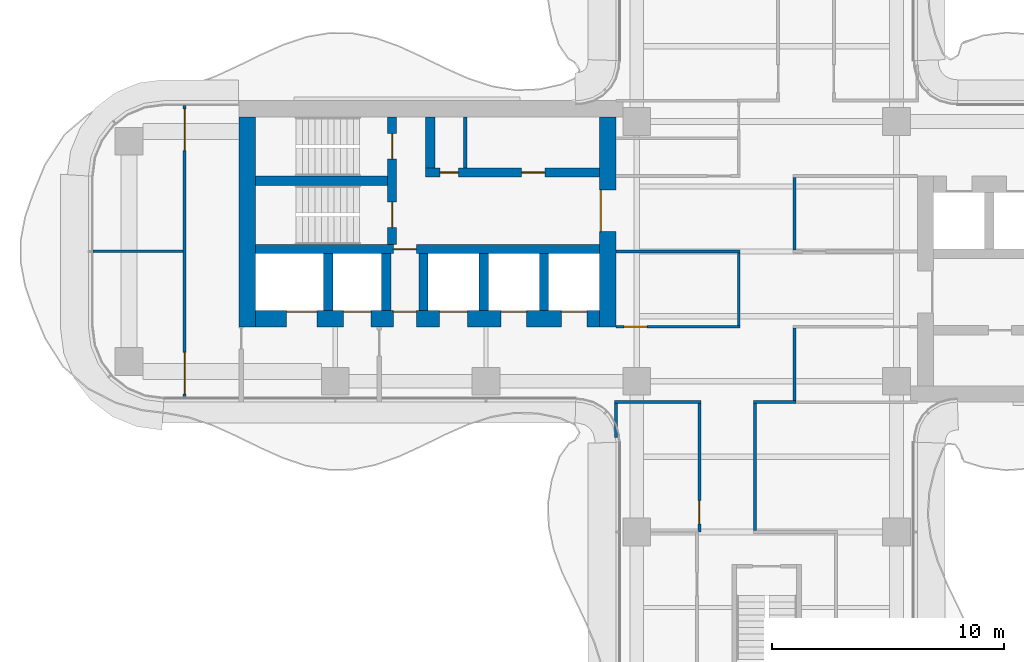
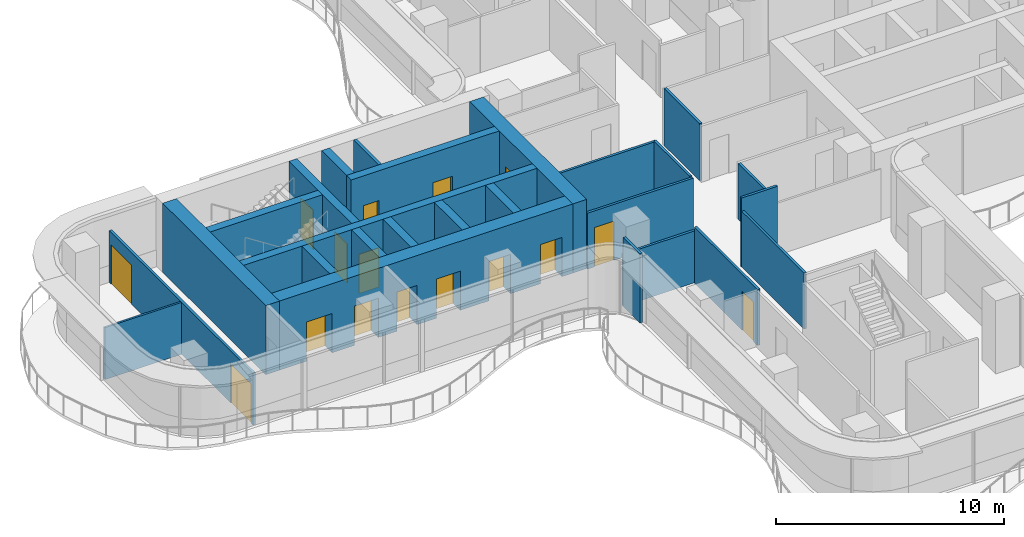
# One storey, part 13 of 18: 26 walls, 16 doors, 16 openings.
"""IFC4 building model written with IfcOpenShell, lengths in metres."""

from ifc_helpers import new_model, si_unit, direction, frame, frame_2d, origin, place, context, subcontext, project, spatial, rectangle, extrude, source, transform, mapped, material, layer, layer_set, type_object, element, fill, save


model = new_model("IFC4")

# Units and contexts
model_context = context("Model", 3, precision=1e-05, world=origin(), true_north=direction((0.0, 1.0)))
body_context = subcontext(model_context, "Body", "Model", "MODEL_VIEW")
ifc_project = project(units=[si_unit("LENGTHUNIT", "METRE"), si_unit("AREAUNIT", "SQUARE_METRE"), si_unit("VOLUMEUNIT", "CUBIC_METRE"), si_unit("PLANEANGLEUNIT", "RADIAN"), si_unit("MASSUNIT", "GRAM", prefix="KILO")], contexts=[model_context])

# Site, building, storey
site_placement = place(None, origin())
site = spatial("IfcSite", under=ifc_project, at=site_placement, CompositionType="ELEMENT")
building_placement = place(site_placement, origin())
building = spatial("IfcBuilding", under=site, at=building_placement, Name="Trellis Farm Tower", CompositionType="ELEMENT")
storey_placement = place(building_placement, frame((0.0, 0.0, 169.800048828125)))
storey = spatial("IfcBuildingStorey", under=building, at=storey_placement, Name="L36", CompositionType="ELEMENT", Elevation=169.800048828125)

# Wall, opening, door
ifc_material_1 = material(Name="Concrete C70/85", Category="concrete")
ifc_layer_1 = layer(ifc_material_1, 0.699951171875)
ifc_layer_set_1 = layer_set([ifc_layer_1], Name="CORE OUTER WALL 700 CONCRETE C70/85")
wall_type_1 = type_object("IfcWallType", Name="CORE OUTER WALL 700 CONCRETE C70/85", PredefinedType="SHEAR", material=ifc_layer_set_1)
shared_shape_1 = source(origin(), body_context, "Body", "SweptSolid", [
    extrude(rectangle(XDim=9.050048828125, YDim=0.699951171875, at=frame_2d((4.52490234375, 0.0))), origin(), (0.0, 0.0, 1.0), 3.699951171875),
])
wall_1_placement = place(storey_placement, frame((-6.85009765625, 5.800048828125, 0.0), z_axis=(0.0, 0.0, 1.0), x_axis=(0.0, -1.0, 0.0)))
wall_1 = element("IfcWall", 1, at=wall_1_placement, inside=storey, type_object=wall_type_1, Name="Core wall", PredefinedType="SHEAR", context=body_context, shape_type="MappedRepresentation", body=[
    mapped(shared_shape_1, transform((0.0, 0.0, 0.0))),
])
shared_shape_2 = source(origin(), body_context, "Body", "SweptSolid", [
    extrude(rectangle(XDim=1.800048828125, YDim=2.10009765625, at=frame_2d((0.89990234375, 1.050048828125))), frame((0.0, 0.360107421875, 0.0), z_axis=(0.0, -1.0, 0.0), x_axis=(1.0, 0.0, 0.0)), (0.0, 0.0, 1.0), 0.72021484375),
])
opening_1_placement = place(wall_1_placement, frame((3.14990234375, 0.0, 0.0)))
opening_1 = element("IfcOpeningElement", 2, at=opening_1_placement, cuts=wall_1, Name="Opening DC87", PredefinedType="OPENING", context=body_context, shape_type="MappedRepresentation", body=[
    mapped(shared_shape_2, transform((0.0, 0.0, 0.0))),
])
ifc_material_2 = material(Name="Steel", Category="steel")
door_type_1 = type_object("IfcDoorType", Name="CORE FIRE DOOR DOUBLE 1800 X 2100", OperationType="DOUBLE_DOOR_SINGLE_SWING", PredefinedType="DOOR", material=ifc_material_2)
shared_shape_3 = source(origin(), body_context, "Body", "SweptSolid", [
    extrude(rectangle(XDim=1.800048828125, YDim=2.10009765625, at=frame_2d((0.89990234375, 1.050048828125))), frame((0.0, -0.27490234375, 0.0), z_axis=(0.0, -1.0, 0.0), x_axis=(1.0, 0.0, 0.0)), (0.0, 0.0, 1.0), 0.050048828125),
])
door_1_placement = place(opening_1_placement, origin())
door_1 = element("IfcDoor", 3, at=door_1_placement, inside=storey, type_object=door_type_1, Name="Core door", OperationType="DOUBLE_DOOR_SINGLE_SWING", OverallHeight=2.10009765625, OverallWidth=1.800048828125, PredefinedType="DOOR", context=body_context, shape_type="MappedRepresentation", body=[
    mapped(shared_shape_3, transform((0.0, 0.0, 0.0))),
])
fill(opening_1, door_1)

# Walls
wall_2_placement = place(storey_placement, frame((-22.39990234375, 5.800048828125, 0.0), z_axis=(0.0, 0.0, 1.0), x_axis=(0.0, -1.0, 0.0)))
element("IfcWall", 4, at=wall_2_placement, inside=storey, type_object=wall_type_1, Name="Core wall", PredefinedType="SHEAR", context=body_context, shape_type="MappedRepresentation", body=[
    mapped(shared_shape_1, transform((0.0, 0.0, 0.0))),
])
ifc_layer_2 = layer(ifc_material_1, 0.39990234375)
ifc_layer_set_2 = layer_set([ifc_layer_2], Name="CORE INNER WALL 400 CONCRETE C70/85")
wall_type_2 = type_object("IfcWallType", Name="CORE INNER WALL 400 CONCRETE C70/85", PredefinedType="SHEAR", material=ifc_layer_set_2)
shared_shape_4 = source(origin(), body_context, "Body", "SweptSolid", [
    extrude(rectangle(XDim=2.449951171875, YDim=0.39990234375, at=frame_2d((1.22509765625, 0.0))), origin(), (0.0, 0.0, 1.0), 3.699951171875),
])
for number, where, z_axis, x_axis, name in (
    (5, (-9.60009765625, -0.10009765625, 0.0), (0.0, 0.0, 1.0), (0.0, -1.0, 0.0), "Core wall"),
    (6, (-12.199951171875, -0.10009765625, 0.0), (0.0, 0.0, 1.0), (0.0, -1.0, 0.0), "Core wall"),
    (7, (-14.800048828125, -0.10009765625, 0.0), (0.0, 0.0, 1.0), (0.0, -1.0, 0.0), "Core wall"),
    (8, (-16.39990234375, -0.10009765625, 0.0), (0.0, 0.0, 1.0), (0.0, -1.0, 0.0), "Core wall"),
    (9, (-18.89990234375, -0.10009765625, 0.0), (0.0, 0.0, 1.0), (0.0, -1.0, 0.0), "Core wall"),
):
    element("IfcWall", number, at=place(storey_placement, frame(where, z_axis=z_axis, x_axis=x_axis)), inside=storey, type_object=wall_type_2, Name=name, PredefinedType="SHEAR", context=body_context, shape_type="MappedRepresentation", body=[
        mapped(shared_shape_4, transform((0.0, 0.0, 0.0))),
    ])

# Wall, openings, doors
shared_shape_5 = source(origin(), body_context, "Body", "SweptSolid", [
    extrude(rectangle(XDim=14.85009765625, YDim=0.699951171875, at=frame_2d((7.425048828125, 0.0))), origin(), (0.0, 0.0, 1.0), 3.699951171875),
])
wall_3_placement = place(storey_placement, frame((-7.199951171875, -2.89990234375, 0.0), z_axis=(0.0, 0.0, 1.0), x_axis=(-1.0, 0.0, 0.0)))
wall_3 = element("IfcWall", 10, at=wall_3_placement, inside=storey, type_object=wall_type_1, Name="Core wall", PredefinedType="SHEAR", context=body_context, shape_type="MappedRepresentation", body=[
    mapped(shared_shape_5, transform((0.0, 0.0, 0.0))),
])
shared_shape_6 = source(origin(), body_context, "Body", "SweptSolid", [
    extrude(rectangle(XDim=1.10009765625, YDim=2.10009765625, at=frame_2d((0.550048828125, 1.050048828125))), frame((0.0, 0.360107421875, 0.0), z_axis=(0.0, -1.0, 0.0), x_axis=(1.0, 0.0, 0.0)), (0.0, 0.0, 1.0), 0.72021484375),
])
opening_2_placement = place(wall_3_placement, frame((0.550048828125, 0.0, 0.0)))
opening_2 = element("IfcOpeningElement", 11, at=opening_2_placement, cuts=wall_3, Name="Opening LD12", PredefinedType="OPENING", context=body_context, shape_type="MappedRepresentation", body=[
    mapped(shared_shape_6, transform((0.0, 0.0, 0.0))),
])
opening_3_placement = place(wall_3_placement, frame((3.14990234375, 0.0, 0.0)))
opening_3 = element("IfcOpeningElement", 12, at=opening_3_placement, cuts=wall_3, Name="Opening LD13", PredefinedType="OPENING", context=body_context, shape_type="MappedRepresentation", body=[
    mapped(shared_shape_6, transform((0.0, 0.0, 0.0))),
])
shared_shape_7 = source(origin(), body_context, "Body", "SweptSolid", [
    extrude(rectangle(XDim=1.199951171875, YDim=2.10009765625, at=frame_2d((0.60009765625, 1.050048828125))), frame((0.0, 0.360107421875, 0.0), z_axis=(0.0, -1.0, 0.0), x_axis=(1.0, 0.0, 0.0)), (0.0, 0.0, 1.0), 0.72021484375),
])
opening_4_placement = place(wall_3_placement, frame((5.699951171875, 0.0, 0.0)))
opening_4 = element("IfcOpeningElement", 13, at=opening_4_placement, cuts=wall_3, Name="Opening LD14", PredefinedType="OPENING", context=body_context, shape_type="MappedRepresentation", body=[
    mapped(shared_shape_7, transform((0.0, 0.0, 0.0))),
])
shared_shape_8 = source(origin(), body_context, "Body", "SweptSolid", [
    extrude(rectangle(XDim=1.300048828125, YDim=2.10009765625, at=frame_2d((0.64990234375, 1.050048828125))), frame((0.0, 0.360107421875, 0.0), z_axis=(0.0, -1.0, 0.0), x_axis=(1.0, 0.0, 0.0)), (0.0, 0.0, 1.0), 0.72021484375),
])
opening_5_placement = place(wall_3_placement, frame((12.199951171875, 0.0, 0.0)))
opening_5 = element("IfcOpeningElement", 14, at=opening_5_placement, cuts=wall_3, Name="Opening LD15", PredefinedType="OPENING", context=body_context, shape_type="MappedRepresentation", body=[
    mapped(shared_shape_8, transform((0.0, 0.0, 0.0))),
])
opening_6_placement = place(wall_3_placement, frame((9.85009765625, 0.0, 0.0)))
opening_6 = element("IfcOpeningElement", 15, at=opening_6_placement, cuts=wall_3, Name="Opening LD16", PredefinedType="OPENING", context=body_context, shape_type="MappedRepresentation", body=[
    mapped(shared_shape_7, transform((0.0, 0.0, 0.0))),
])
shared_shape_9 = source(origin(), body_context, "Body", "SweptSolid", [
    extrude(rectangle(XDim=1.0, YDim=2.10009765625, at=frame_2d((0.5, 1.050048828125))), frame((0.0, 0.360107421875, 0.0), z_axis=(0.0, -1.0, 0.0), x_axis=(1.0, 0.0, 0.0)), (0.0, 0.0, 1.0), 0.72021484375),
])
opening_7_placement = place(wall_3_placement, frame((7.89990234375, 0.0, 0.0)))
opening_7 = element("IfcOpeningElement", 16, at=opening_7_placement, cuts=wall_3, Name="Opening DC92", PredefinedType="OPENING", context=body_context, shape_type="MappedRepresentation", body=[
    mapped(shared_shape_9, transform((0.0, 0.0, 0.0))),
])
door_type_2 = type_object("IfcDoorType", Name="CORE FIRE DOOR 1000 X 2100", OperationType="NOTDEFINED", PredefinedType="DOOR", material=ifc_material_2)
shared_shape_10 = source(origin(), body_context, "Body", "SweptSolid", [
    extrude(rectangle(XDim=1.0, YDim=2.10009765625, at=frame_2d((0.5, 1.050048828125))), frame((0.0, -0.27490234375, 0.0), z_axis=(0.0, -1.0, 0.0), x_axis=(1.0, 0.0, 0.0)), (0.0, 0.0, 1.0), 0.050048828125),
])
door_2_placement = place(opening_7_placement, origin())
door_2 = element("IfcDoor", 17, at=door_2_placement, inside=storey, type_object=door_type_2, Name="Core door", OperationType="SINGLE_SWING_LEFT", OverallHeight=2.10009765625, OverallWidth=1.0, PredefinedType="DOOR", context=body_context, shape_type="MappedRepresentation", body=[
    mapped(shared_shape_10, transform((0.0, 0.0, 0.0))),
])
fill(opening_7, door_2)
ifc_material_3 = material(Name="Stainless steel", Category="steel")
door_type_3 = type_object("IfcDoorType", Name="LIFT LANDING DOOR 1300 X 2100", OperationType="DOUBLE_DOOR_SLIDING", PredefinedType="DOOR", material=ifc_material_3)
shared_shape_11 = source(origin(), body_context, "Body", "SweptSolid", [
    extrude(rectangle(XDim=1.300048828125, YDim=2.10009765625, at=frame_2d((0.64990234375, 1.050048828125))), frame((0.0, -0.27490234375, 0.0), z_axis=(0.0, -1.0, 0.0), x_axis=(1.0, 0.0, 0.0)), (0.0, 0.0, 1.0), 0.050048828125),
])
door_3_placement = place(opening_5_placement, origin())
door_3 = element("IfcDoor", 18, at=door_3_placement, inside=storey, type_object=door_type_3, Name="Lift landing door", OperationType="DOUBLE_DOOR_SLIDING", OverallHeight=2.10009765625, OverallWidth=1.300048828125, PredefinedType="DOOR", context=body_context, shape_type="MappedRepresentation", body=[
    mapped(shared_shape_11, transform((0.0, 0.0, 0.0))),
])
fill(opening_5, door_3)
door_type_4 = type_object("IfcDoorType", Name="LIFT LANDING DOOR 1200 X 2100", OperationType="DOUBLE_DOOR_SLIDING", PredefinedType="DOOR", material=ifc_material_3)
shared_shape_12 = source(origin(), body_context, "Body", "SweptSolid", [
    extrude(rectangle(XDim=1.199951171875, YDim=2.10009765625, at=frame_2d((0.60009765625, 1.050048828125))), frame((0.0, -0.27490234375, 0.0), z_axis=(0.0, -1.0, 0.0), x_axis=(1.0, 0.0, 0.0)), (0.0, 0.0, 1.0), 0.050048828125),
])
door_4_placement = place(opening_4_placement, origin())
door_4 = element("IfcDoor", 19, at=door_4_placement, inside=storey, type_object=door_type_4, Name="Lift landing door", OperationType="DOUBLE_DOOR_SLIDING", OverallHeight=2.10009765625, OverallWidth=1.199951171875, PredefinedType="DOOR", context=body_context, shape_type="MappedRepresentation", body=[
    mapped(shared_shape_12, transform((0.0, 0.0, 0.0))),
])
fill(opening_4, door_4)
door_5_placement = place(opening_6_placement, origin())
door_5 = element("IfcDoor", 20, at=door_5_placement, inside=storey, type_object=door_type_4, Name="Lift landing door", OperationType="DOUBLE_DOOR_SLIDING", OverallHeight=2.10009765625, OverallWidth=1.199951171875, PredefinedType="DOOR", context=body_context, shape_type="MappedRepresentation", body=[
    mapped(shared_shape_12, transform((0.0, 0.0, 0.0))),
])
fill(opening_6, door_5)
door_type_5 = type_object("IfcDoorType", Name="LIFT LANDING DOOR 1100 X 2100", OperationType="DOUBLE_DOOR_SLIDING", PredefinedType="DOOR", material=ifc_material_3)
shared_shape_13 = source(origin(), body_context, "Body", "SweptSolid", [
    extrude(rectangle(XDim=1.10009765625, YDim=2.10009765625, at=frame_2d((0.550048828125, 1.050048828125))), frame((0.0, -0.27490234375, 0.0), z_axis=(0.0, -1.0, 0.0), x_axis=(1.0, 0.0, 0.0)), (0.0, 0.0, 1.0), 0.050048828125),
])
door_6_placement = place(opening_2_placement, origin())
door_6 = element("IfcDoor", 21, at=door_6_placement, inside=storey, type_object=door_type_5, Name="Lift landing door", OperationType="DOUBLE_DOOR_SLIDING", OverallHeight=2.10009765625, OverallWidth=1.10009765625, PredefinedType="DOOR", context=body_context, shape_type="MappedRepresentation", body=[
    mapped(shared_shape_13, transform((0.0, 0.0, 0.0))),
])
fill(opening_2, door_6)
door_7_placement = place(opening_3_placement, origin())
door_7 = element("IfcDoor", 22, at=door_7_placement, inside=storey, type_object=door_type_5, Name="Lift landing door", OperationType="DOUBLE_DOOR_SLIDING", OverallHeight=2.10009765625, OverallWidth=1.10009765625, PredefinedType="DOOR", context=body_context, shape_type="MappedRepresentation", body=[
    mapped(shared_shape_13, transform((0.0, 0.0, 0.0))),
])
fill(opening_3, door_7)

shared_shape_14 = source(origin(), body_context, "Body", "SweptSolid", [
    extrude(rectangle(XDim=7.5, YDim=0.39990234375, at=frame_2d((3.75, 0.0))), origin(), (0.0, 0.0, 1.0), 3.699951171875),
])
wall_4_placement = place(storey_placement, frame((-7.199951171875, 3.39990234375, 0.0), z_axis=(0.0, 0.0, 1.0), x_axis=(-1.0, 0.0, 0.0)))
wall_4 = element("IfcWall", 23, at=wall_4_placement, inside=storey, type_object=wall_type_2, Name="Core wall", PredefinedType="SHEAR", context=body_context, shape_type="MappedRepresentation", body=[
    mapped(shared_shape_14, transform((0.0, 0.0, 0.0))),
])
shared_shape_15 = source(origin(), body_context, "Body", "SweptSolid", [
    extrude(rectangle(XDim=1.0, YDim=2.10009765625, at=frame_2d((0.5, 1.050048828125))), frame((0.0, 0.2099609375, 0.0), z_axis=(0.0, -1.0, 0.0), x_axis=(1.0, 0.0, 0.0)), (0.0, 0.0, 1.0), 0.419921875),
])
opening_8_placement = place(wall_4_placement, frame((2.362548828125, 0.0, 0.0)))
opening_8 = element("IfcOpeningElement", 24, at=opening_8_placement, cuts=wall_4, Name="Opening DC141", PredefinedType="OPENING", context=body_context, shape_type="MappedRepresentation", body=[
    mapped(shared_shape_15, transform((0.0, 0.0, 0.0))),
])
shared_shape_16 = source(origin(), body_context, "Body", "SweptSolid", [
    extrude(rectangle(XDim=0.800048828125, YDim=2.10009765625, at=frame_2d((0.39990234375, 1.050048828125))), frame((0.0, 0.2099609375, 0.0), z_axis=(0.0, -1.0, 0.0), x_axis=(1.0, 0.0, 0.0)), (0.0, 0.0, 1.0), 0.419921875),
])
opening_9_placement = place(wall_4_placement, frame((6.08740234375, 0.0, 0.0)))
opening_9 = element("IfcOpeningElement", 25, at=opening_9_placement, cuts=wall_4, Name="Opening DC144", PredefinedType="OPENING", context=body_context, shape_type="MappedRepresentation", body=[
    mapped(shared_shape_16, transform((0.0, 0.0, 0.0))),
])
shared_shape_17 = source(origin(), body_context, "Body", "SweptSolid", [
    extrude(rectangle(XDim=1.0, YDim=2.10009765625, at=frame_2d((0.5, 1.050048828125))), frame((0.0, 0.02490234375, 0.0), z_axis=(0.0, -1.0, 0.0), x_axis=(1.0, 0.0, 0.0)), (0.0, 0.0, 1.0), 0.050048828125),
])
door_8_placement = place(opening_8_placement, origin())
door_8 = element("IfcDoor", 26, at=door_8_placement, inside=storey, type_object=door_type_2, Name="Core door", OperationType="SINGLE_SWING_LEFT", OverallHeight=2.10009765625, OverallWidth=1.0, PredefinedType="DOOR", context=body_context, shape_type="MappedRepresentation", body=[
    mapped(shared_shape_17, transform((0.0, 0.0, 0.0))),
])
fill(opening_8, door_8)
door_type_6 = type_object("IfcDoorType", Name="CORE FIRE DOOR 800 X 2100", OperationType="NOTDEFINED", PredefinedType="DOOR", material=ifc_material_2)
shared_shape_18 = source(origin(), body_context, "Body", "SweptSolid", [
    extrude(rectangle(XDim=0.800048828125, YDim=2.10009765625, at=frame_2d((0.39990234375, 1.050048828125))), frame((0.0, 0.02490234375, 0.0), z_axis=(0.0, -1.0, 0.0), x_axis=(1.0, 0.0, 0.0)), (0.0, 0.0, 1.0), 0.050048828125),
])
door_9_placement = place(opening_9_placement, origin())
door_9 = element("IfcDoor", 27, at=door_9_placement, inside=storey, type_object=door_type_6, Name="Core door", OperationType="SINGLE_SWING_RIGHT", OverallHeight=2.10009765625, OverallWidth=0.800048828125, PredefinedType="DOOR", context=body_context, shape_type="MappedRepresentation", body=[
    mapped(shared_shape_18, transform((0.0, 0.0, 0.0))),
])
fill(opening_9, door_9)

# Wall, opening, door
shared_shape_19 = source(origin(), body_context, "Body", "SweptSolid", [
    extrude(rectangle(XDim=14.85009765625, YDim=0.39990234375, at=frame_2d((7.425048828125, 0.0))), origin(), (0.0, 0.0, 1.0), 3.699951171875),
])
wall_5_placement = place(storey_placement, frame((-7.199951171875, 0.10009765625, 0.0), z_axis=(0.0, 0.0, 1.0), x_axis=(-1.0, 0.0, 0.0)))
wall_5 = element("IfcWall", 28, at=wall_5_placement, inside=storey, type_object=wall_type_2, Name="Core wall", PredefinedType="SHEAR", context=body_context, shape_type="MappedRepresentation", body=[
    mapped(shared_shape_19, transform((0.0, 0.0, 0.0))),
])
opening_10_placement = place(wall_5_placement, frame((7.89990234375, 0.0, 0.0)))
opening_10 = element("IfcOpeningElement", 29, at=opening_10_placement, cuts=wall_5, Name="Opening DC91", PredefinedType="OPENING", context=body_context, shape_type="MappedRepresentation", body=[
    mapped(shared_shape_15, transform((0.0, 0.0, 0.0))),
])
door_10_placement = place(opening_10_placement, origin())
door_10 = element("IfcDoor", 30, at=door_10_placement, inside=storey, type_object=door_type_2, Name="Core door", OperationType="SINGLE_SWING_RIGHT", OverallHeight=2.10009765625, OverallWidth=1.0, PredefinedType="DOOR", context=body_context, shape_type="MappedRepresentation", body=[
    mapped(shared_shape_17, transform((0.0, 0.0, 0.0))),
])
fill(opening_10, door_10)

# Wall, openings, doors
shared_shape_20 = source(origin(), body_context, "Body", "SweptSolid", [
    extrude(rectangle(XDim=5.5, YDim=0.39990234375, at=frame_2d((2.75, 0.0))), origin(), (0.0, 0.0, 1.0), 3.699951171875),
])
wall_6_placement = place(storey_placement, frame((-16.14990234375, 5.800048828125, 0.0), z_axis=(0.0, 0.0, 1.0), x_axis=(0.0, -1.0, 0.0)))
wall_6 = element("IfcWall", 31, at=wall_6_placement, inside=storey, type_object=wall_type_2, Name="Core wall", PredefinedType="SHEAR", context=body_context, shape_type="MappedRepresentation", body=[
    mapped(shared_shape_20, transform((0.0, 0.0, 0.0))),
])
shared_shape_21 = source(origin(), body_context, "Body", "SweptSolid", [
    extrude(rectangle(XDim=1.10009765625, YDim=2.10009765625, at=frame_2d((0.550048828125, 1.050048828125))), frame((0.0, 0.2099609375, 0.0), z_axis=(0.0, -1.0, 0.0), x_axis=(1.0, 0.0, 0.0)), (0.0, 0.0, 1.0), 0.419921875),
])
opening_11_placement = place(wall_6_placement, frame((0.72509765625, 0.0, 0.0)))
opening_11 = element("IfcOpeningElement", 32, at=opening_11_placement, cuts=wall_6, Name="Opening DC88", PredefinedType="OPENING", context=body_context, shape_type="MappedRepresentation", body=[
    mapped(shared_shape_21, transform((0.0, 0.0, 0.0))),
])
opening_12_placement = place(wall_6_placement, frame((3.675048828125, 0.0, 0.0)))
opening_12 = element("IfcOpeningElement", 33, at=opening_12_placement, cuts=wall_6, Name="Opening DC89", PredefinedType="OPENING", context=body_context, shape_type="MappedRepresentation", body=[
    mapped(shared_shape_21, transform((0.0, 0.0, 0.0))),
])
door_type_7 = type_object("IfcDoorType", Name="CORE FIRE DOOR 1100 X 2100", OperationType="NOTDEFINED", PredefinedType="DOOR", material=ifc_material_2)
shared_shape_22 = source(origin(), body_context, "Body", "SweptSolid", [
    extrude(rectangle(XDim=1.10009765625, YDim=2.10009765625, at=frame_2d((0.550048828125, 1.050048828125))), frame((0.0, 0.02490234375, 0.0), z_axis=(0.0, -1.0, 0.0), x_axis=(1.0, 0.0, 0.0)), (0.0, 0.0, 1.0), 0.050048828125),
])
door_11_placement = place(opening_11_placement, origin())
door_11 = element("IfcDoor", 34, at=door_11_placement, inside=storey, type_object=door_type_7, Name="Core door", OperationType="SINGLE_SWING_RIGHT", OverallHeight=2.10009765625, OverallWidth=1.10009765625, PredefinedType="DOOR", context=body_context, shape_type="MappedRepresentation", body=[
    mapped(shared_shape_22, transform((0.0, 0.0, 0.0))),
])
fill(opening_11, door_11)
door_12_placement = place(opening_12_placement, origin())
door_12 = element("IfcDoor", 35, at=door_12_placement, inside=storey, type_object=door_type_7, Name="Core door", OperationType="SINGLE_SWING_LEFT", OverallHeight=2.10009765625, OverallWidth=1.10009765625, PredefinedType="DOOR", context=body_context, shape_type="MappedRepresentation", body=[
    mapped(shared_shape_22, transform((0.0, 0.0, 0.0))),
])
fill(opening_12, door_12)

# Walls
shared_shape_23 = source(origin(), body_context, "Body", "SweptSolid", [
    extrude(rectangle(XDim=5.699951171875, YDim=0.39990234375, at=frame_2d((2.85009765625, 0.0))), origin(), (0.0, 0.0, 1.0), 3.699951171875),
])
wall_7_placement = place(storey_placement, frame((-16.35009765625, 3.050048828125, 0.0), z_axis=(0.0, 0.0, 1.0), x_axis=(-1.0, 0.0, 0.0)))
element("IfcWall", 36, at=wall_7_placement, inside=storey, type_object=wall_type_2, Name="Core wall", PredefinedType="SHEAR", context=body_context, shape_type="MappedRepresentation", body=[
    mapped(shared_shape_23, transform((0.0, 0.0, 0.0))),
])
shared_shape_24 = source(origin(), body_context, "Body", "SweptSolid", [
    extrude(rectangle(XDim=2.199951171875, YDim=0.39990234375, at=frame_2d((1.10009765625, 0.0))), origin(), (0.0, 0.0, 1.0), 3.699951171875),
])
wall_8_placement = place(storey_placement, frame((-14.5, 5.800048828125, 0.0), z_axis=(0.0, 0.0, 1.0), x_axis=(0.0, -1.0, 0.0)))
element("IfcWall", 37, at=wall_8_placement, inside=storey, type_object=wall_type_2, Name="Core wall", PredefinedType="SHEAR", context=body_context, shape_type="MappedRepresentation", body=[
    mapped(shared_shape_24, transform((0.0, 0.0, 0.0))),
])
ifc_material_4 = material(Name="Masonry blockwork", Category="masonry")
ifc_layer_3 = layer(ifc_material_4, 0.14990234375)
ifc_layer_set_3 = layer_set([ifc_layer_3], Name="CORE PARTITION 150 BLOCKWORK")
wall_type_3 = type_object("IfcWallType", Name="CORE PARTITION 150 BLOCKWORK", PredefinedType="PARTITIONING", material=ifc_layer_set_3)
shared_shape_25 = source(origin(), body_context, "Body", "SweptSolid", [
    extrude(rectangle(XDim=2.199951171875, YDim=0.14990234375, at=frame_2d((1.10009765625, 0.0))), origin(), (0.0, 0.0, 1.0), 3.699951171875),
])
wall_9_placement = place(storey_placement, frame((-13.0, 5.800048828125, 0.0), z_axis=(0.0, 0.0, 1.0), x_axis=(0.0, -1.0, 0.0)))
element("IfcWall", 38, at=wall_9_placement, inside=storey, type_object=wall_type_3, Name="Core room partition", PredefinedType="PARTITIONING", context=body_context, shape_type="MappedRepresentation", body=[
    mapped(shared_shape_25, transform((0.0, 0.0, 0.0))),
])
ifc_material_5 = material(Name="Plasterboard on steel studs, mineral wool", Category="steel")
ifc_layer_4 = layer(ifc_material_5, 0.125)
ifc_layer_set_4 = layer_set([ifc_layer_4], Name="PARTITION 125 STUD EI 60")
wall_type_4 = type_object("IfcWallType", Name="PARTITION 125 STUD EI 60", PredefinedType="PARTITIONING", material=ifc_layer_set_4)
shared_shape_26 = source(origin(), body_context, "Body", "SweptSolid", [
    extrude(rectangle(XDim=3.125, YDim=0.125, at=frame_2d((1.5625, 0.0))), origin(), (0.0, 0.0, 1.0), 3.06787109375),
])
for number, where, z_axis, x_axis, name in (
    (39, (-1.199951171875, -0.0625, 0.0), (0.0, 0.0, 1.0), (0.0, -1.0, 0.0), "Partition PW1"),
    (40, (1.199951171875, 3.1875, 0.0), (0.0, 0.0, 1.0), (0.0, -1.0, 0.0), "Partition PW1"),
):
    element("IfcWall", number, at=place(storey_placement, frame(where, z_axis=z_axis, x_axis=x_axis)), inside=storey, type_object=wall_type_4, Name=name, PredefinedType="PARTITIONING", context=body_context, shape_type="MappedRepresentation", body=[
        mapped(shared_shape_26, transform((0.0, 0.0, 0.0))),
    ])
shared_shape_27 = source(origin(), body_context, "Body", "SweptSolid", [
    extrude(rectangle(XDim=1.468994140625, YDim=0.125, at=frame_2d((0.734375, 0.0))), origin(), (0.0, 0.0, 1.0), 3.699951171875),
])
wall_10_placement = place(storey_placement, frame((-6.5, -6.5625, 0.0), z_axis=(0.0, 0.0, 1.0), x_axis=(0.0, -1.0, 0.0)))
element("IfcWall", 41, at=wall_10_placement, inside=storey, type_object=wall_type_4, Name="Partition PW1", PredefinedType="PARTITIONING", context=body_context, shape_type="MappedRepresentation", body=[
    mapped(shared_shape_27, transform((0.0, 0.0, 0.0))),
])

# Wall, openings, doors
shared_shape_28 = source(origin(), body_context, "Body", "SweptSolid", [
    extrude(rectangle(XDim=12.60009765625, YDim=0.125, at=frame_2d((6.300048828125, 0.0))), origin(), (0.0, 0.0, 1.0), 2.780029296875),
])
wall_11_placement = place(storey_placement, frame((-25.10009765625, -6.300048828125, 0.0), z_axis=(0.0, 0.0, 1.0), x_axis=(0.0, 1.0, 0.0)))
wall_11 = element("IfcWall", 42, at=wall_11_placement, inside=storey, type_object=wall_type_4, Name="Partition PW1", PredefinedType="PARTITIONING", context=body_context, shape_type="MappedRepresentation", body=[
    mapped(shared_shape_28, transform((0.0, 0.0, 0.0))),
])
shared_shape_29 = source(origin(), body_context, "Body", "SweptSolid", [
    extrude(rectangle(XDim=1.800048828125, YDim=2.10009765625, at=frame_2d((0.89990234375, 1.050048828125))), frame((0.0, 0.072509765625, 0.0), z_axis=(0.0, -1.0, 0.0), x_axis=(1.0, 0.0, 0.0)), (0.0, 0.0, 1.0), 0.14501953125),
])
opening_13_placement = place(wall_11_placement, frame((0.14990234375, 0.0, 0.0)))
opening_13 = element("IfcOpeningElement", 43, at=opening_13_placement, cuts=wall_11, Name="Opening D201", PredefinedType="OPENING", context=body_context, shape_type="MappedRepresentation", body=[
    mapped(shared_shape_29, transform((0.0, 0.0, 0.0))),
])
opening_14_placement = place(wall_11_placement, frame((10.64990234375, 0.0, 0.0)))
opening_14 = element("IfcOpeningElement", 44, at=opening_14_placement, cuts=wall_11, Name="Opening D202", PredefinedType="OPENING", context=body_context, shape_type="MappedRepresentation", body=[
    mapped(shared_shape_29, transform((0.0, 0.0, 0.0))),
])
ifc_material_6 = material(Name="Fire-rated timber door leaf in a hollow metal frame", Category="wood")
door_type_8 = type_object("IfcDoorType", Name="DOOR PAIR 1800x2100 FD30S", OperationType="NOTDEFINED", PredefinedType="DOOR", material=ifc_material_6)
shared_shape_30 = source(origin(), body_context, "Body", "SweptSolid", [
    extrude(rectangle(XDim=1.800048828125, YDim=2.10009765625, at=frame_2d((0.89990234375, 1.050048828125))), frame((0.0, 0.02490234375, 0.0), z_axis=(0.0, -1.0, 0.0), x_axis=(1.0, 0.0, 0.0)), (0.0, 0.0, 1.0), 0.050048828125),
])
door_13_placement = place(opening_13_placement, origin())
door_13 = element("IfcDoor", 45, at=door_13_placement, inside=storey, type_object=door_type_8, Name="Door D201", OperationType="DOUBLE_DOOR_SINGLE_SWING", OverallHeight=2.10009765625, OverallWidth=1.800048828125, PredefinedType="DOOR", context=body_context, shape_type="MappedRepresentation", body=[
    mapped(shared_shape_30, transform((0.0, 0.0, 0.0))),
])
fill(opening_13, door_13)
door_14_placement = place(opening_14_placement, origin())
door_14 = element("IfcDoor", 46, at=door_14_placement, inside=storey, type_object=door_type_8, Name="Door D202", OperationType="DOUBLE_DOOR_SINGLE_SWING", OverallHeight=2.10009765625, OverallWidth=1.800048828125, PredefinedType="DOOR", context=body_context, shape_type="MappedRepresentation", body=[
    mapped(shared_shape_30, transform((0.0, 0.0, 0.0))),
])
fill(opening_14, door_14)

# Walls
shared_shape_31 = source(origin(), body_context, "Body", "SweptSolid", [
    extrude(rectangle(XDim=1.824951171875, YDim=0.125, at=frame_2d((0.91259765625, 0.0))), origin(), (0.0, 0.0, 1.0), 3.699951171875),
])
wall_12_placement = place(storey_placement, frame((1.262451171875, -6.5, 0.0), z_axis=(0.0, 0.0, 1.0), x_axis=(-1.0, 0.0, 0.0)))
element("IfcWall", 47, at=wall_12_placement, inside=storey, type_object=wall_type_4, Name="Partition PW1", PredefinedType="PARTITIONING", context=body_context, shape_type="MappedRepresentation", body=[
    mapped(shared_shape_31, transform((0.0, 0.0, 0.0))),
])
shared_shape_32 = source(origin(), body_context, "Body", "SweptSolid", [
    extrude(rectangle(XDim=3.72509765625, YDim=0.125, at=frame_2d((1.862548828125, 0.0))), origin(), (0.0, 0.0, 1.0), 2.780029296875),
])
wall_13_placement = place(storey_placement, frame((-2.83740234375, -6.5, 0.0), z_axis=(0.0, 0.0, 1.0), x_axis=(-1.0, 0.0, 0.0)))
element("IfcWall", 48, at=wall_13_placement, inside=storey, type_object=wall_type_4, Name="Partition PW1", PredefinedType="PARTITIONING", context=body_context, shape_type="MappedRepresentation", body=[
    mapped(shared_shape_32, transform((0.0, 0.0, 0.0))),
])
ifc_material_7 = material(Name="Plasterboard on steel studs", Category="steel")
ifc_layer_5 = layer(ifc_material_7, 0.10009765625)
ifc_layer_set_5 = layer_set([ifc_layer_5], Name="PARTITION 100 STUD EI 30")
wall_type_5 = type_object("IfcWallType", Name="PARTITION 100 STUD EI 30", PredefinedType="PARTITIONING", material=ifc_layer_set_5)
shared_shape_33 = source(origin(), body_context, "Body", "SweptSolid", [
    extrude(rectangle(XDim=3.887451171875, YDim=0.10009765625, at=frame_2d((1.94384765625, 0.0))), origin(), (0.0, 0.0, 1.0), 2.780029296875),
])
wall_14_placement = place(storey_placement, frame((-29.050048828125, 0.0, 0.0), z_axis=(0.0, 0.0, 1.0), x_axis=(1.0, 0.0, 0.0)))
element("IfcWall", 49, at=wall_14_placement, inside=storey, type_object=wall_type_5, Name="Partition PW2", PredefinedType="PARTITIONING", context=body_context, shape_type="MappedRepresentation", body=[
    mapped(shared_shape_33, transform((0.0, 0.0, 0.0))),
])
shared_shape_34 = source(origin(), body_context, "Body", "SweptSolid", [
    extrude(rectangle(XDim=5.47509765625, YDim=0.125, at=frame_2d((2.737548828125, 0.0))), origin(), (0.0, 0.0, 1.0), 2.996337890625),
])
wall_15_placement = place(storey_placement, frame((-0.5, -6.5625, 0.0), z_axis=(0.0, 0.0, 1.0), x_axis=(0.0, -1.0, 0.0)))
element("IfcWall", 50, at=wall_15_placement, inside=storey, type_object=wall_type_4, Name="Partition PW1", PredefinedType="PARTITIONING", context=body_context, shape_type="MappedRepresentation", body=[
    mapped(shared_shape_34, transform((0.0, 0.0, 0.0))),
])
shared_shape_35 = source(origin(), body_context, "Body", "SweptSolid", [
    extrude(rectangle(XDim=3.137451171875, YDim=0.125, at=frame_2d((1.56884765625, 0.0))), origin(), (0.0, 0.0, 1.0), 2.996337890625),
])
wall_16_placement = place(storey_placement, frame((1.199951171875, -3.3125, 0.0), z_axis=(0.0, 0.0, 1.0), x_axis=(0.0, -1.0, 0.0)))
element("IfcWall", 51, at=wall_16_placement, inside=storey, type_object=wall_type_4, Name="Partition PW1", PredefinedType="PARTITIONING", context=body_context, shape_type="MappedRepresentation", body=[
    mapped(shared_shape_35, transform((0.0, 0.0, 0.0))),
])

# Wall, opening, door
shared_shape_36 = source(origin(), body_context, "Body", "SweptSolid", [
    extrude(rectangle(XDim=5.53759765625, YDim=0.125, at=frame_2d((2.768798828125, 0.0))), origin(), (0.0, 0.0, 1.0), 2.996337890625),
])
wall_17_placement = place(storey_placement, frame((-2.89990234375, -12.10009765625, 0.0), z_axis=(0.0, 0.0, 1.0), x_axis=(0.0, 1.0, 0.0)))
wall_17 = element("IfcWall", 52, at=wall_17_placement, inside=storey, type_object=wall_type_4, Name="Partition PW1", PredefinedType="PARTITIONING", context=body_context, shape_type="MappedRepresentation", body=[
    mapped(shared_shape_36, transform((0.0, 0.0, 0.0))),
])
shared_shape_37 = source(origin(), body_context, "Body", "SweptSolid", [
    extrude(rectangle(XDim=1.0, YDim=2.10009765625, at=frame_2d((0.5, 1.050048828125))), frame((0.0, 0.072509765625, 0.0), z_axis=(0.0, -1.0, 0.0), x_axis=(1.0, 0.0, 0.0)), (0.0, 0.0, 1.0), 0.14501953125),
])
opening_15_placement = place(wall_17_placement, frame((0.35009765625, 0.0, 0.0)))
opening_15 = element("IfcOpeningElement", 53, at=opening_15_placement, cuts=wall_17, Name="Opening D103", PredefinedType="OPENING", context=body_context, shape_type="MappedRepresentation", body=[
    mapped(shared_shape_37, transform((0.0, 0.0, 0.0))),
])
door_type_9 = type_object("IfcDoorType", Name="DOOR 1000x2100 FD30S", OperationType="NOTDEFINED", PredefinedType="DOOR", material=ifc_material_6)
door_15_placement = place(opening_15_placement, origin())
door_15 = element("IfcDoor", 54, at=door_15_placement, inside=storey, type_object=door_type_9, Name="Door D103", OperationType="SINGLE_SWING_LEFT", OverallHeight=2.10009765625, OverallWidth=1.0, PredefinedType="DOOR", context=body_context, shape_type="MappedRepresentation", body=[
    mapped(shared_shape_17, transform((0.0, 0.0, 0.0))),
])
fill(opening_15, door_15)

shared_shape_38 = source(origin(), body_context, "Body", "SweptSolid", [
    extrude(rectangle(XDim=5.362548828125, YDim=0.125, at=frame_2d((2.68115234375, 0.0))), origin(), (0.0, 0.0, 1.0), 2.996337890625),
])
wall_18_placement = place(storey_placement, frame((-1.137451171875, -3.25, 0.0), z_axis=(0.0, 0.0, 1.0), x_axis=(-1.0, 0.0, 0.0)))
wall_18 = element("IfcWall", 55, at=wall_18_placement, inside=storey, type_object=wall_type_4, Name="Partition PW1", PredefinedType="PARTITIONING", context=body_context, shape_type="MappedRepresentation", body=[
    mapped(shared_shape_38, transform((0.0, 0.0, 0.0))),
])
opening_16_placement = place(wall_18_placement, frame((4.012451171875, 0.0, 0.0)))
opening_16 = element("IfcOpeningElement", 56, at=opening_16_placement, cuts=wall_18, Name="Opening D105", PredefinedType="OPENING", context=body_context, shape_type="MappedRepresentation", body=[
    mapped(shared_shape_37, transform((0.0, 0.0, 0.0))),
])
door_16_placement = place(opening_16_placement, origin())
door_16 = element("IfcDoor", 57, at=door_16_placement, inside=storey, type_object=door_type_9, Name="Door D105", OperationType="SINGLE_SWING_RIGHT", OverallHeight=2.10009765625, OverallWidth=1.0, PredefinedType="DOOR", context=body_context, shape_type="MappedRepresentation", body=[
    mapped(shared_shape_17, transform((0.0, 0.0, 0.0))),
])
fill(opening_16, door_16)

# Wall
wall_19_placement = place(storey_placement, frame((-1.137451171875, 0.0, 0.0), z_axis=(0.0, 0.0, 1.0), x_axis=(-1.0, 0.0, 0.0)))
element("IfcWall", 58, at=wall_19_placement, inside=storey, type_object=wall_type_4, Name="Partition PW1", PredefinedType="PARTITIONING", context=body_context, shape_type="MappedRepresentation", body=[
    mapped(shared_shape_38, transform((0.0, 0.0, 0.0))),
])

save(model, "model.ifc")
